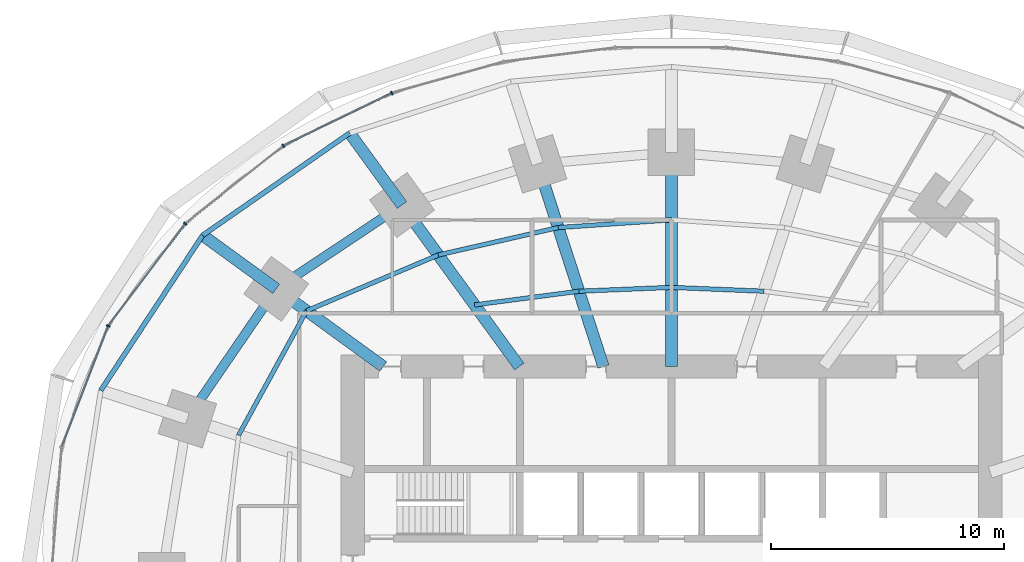
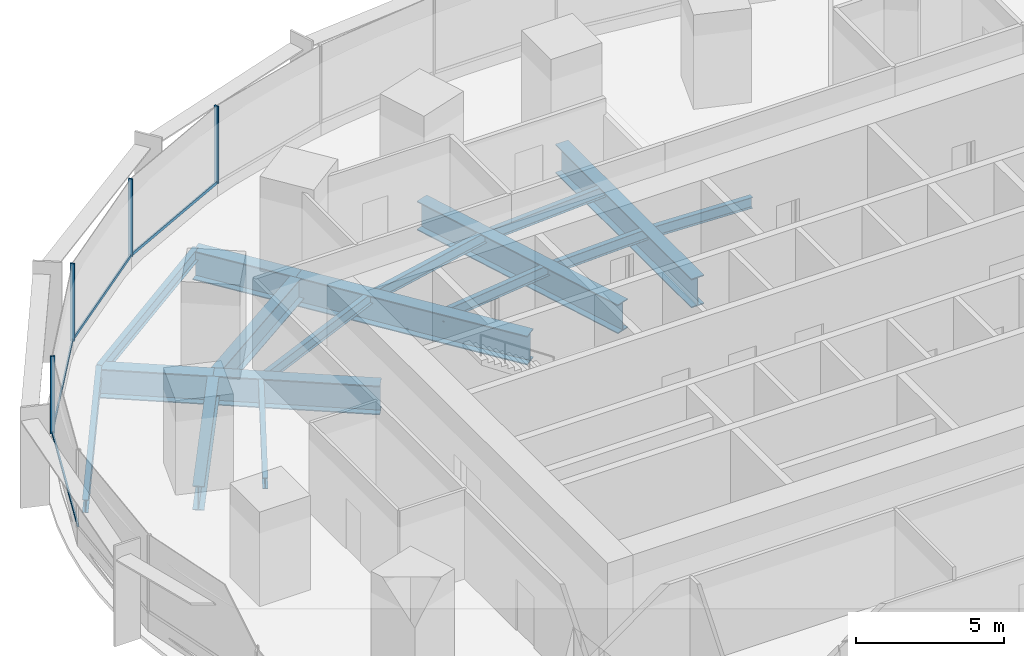
# One storey, part 7 of 15: 17 beams, 8 members, 1 element without a shape of its own.
"""IFC4 building model written with IfcOpenShell, lengths in metres."""

from ifc_helpers import new_model, si_unit, direction, frame, origin, origin_2d, place, context, subcontext, project, spatial, rectangle, i_section, extrude, material, material_profile, profile_set, type_object, element, aggregate, save


model = new_model("IFC4")

# Units and contexts
model_context = context("Model", 3, precision=1e-05, world=origin(), true_north=direction((0.0, 1.0)))
body_context = subcontext(model_context, "Body", "Model", "MODEL_VIEW")
ifc_project = project(units=[si_unit("LENGTHUNIT", "METRE"), si_unit("AREAUNIT", "SQUARE_METRE"), si_unit("VOLUMEUNIT", "CUBIC_METRE"), si_unit("PLANEANGLEUNIT", "RADIAN"), si_unit("MASSUNIT", "GRAM", prefix="KILO")], contexts=[model_context])

# Site, building, storey
site_placement = place(None, origin())
site = spatial("IfcSite", under=ifc_project, at=site_placement, CompositionType="ELEMENT")
building_placement = place(site_placement, origin())
building = spatial("IfcBuilding", under=site, at=building_placement, Name="Marramba Exchange Tower", CompositionType="ELEMENT")
storey_placement = place(building_placement, frame((0.0, 0.0, 82.60009765625)))
storey = spatial("IfcBuildingStorey", under=building, at=storey_placement, Name="L19", CompositionType="ELEMENT", Elevation=82.60009765625)

# Beams
ifc_material_1 = material(Name="Steel AS/NZS 3679.2 grade 300", Category="steel")
ifc_material_profile_1 = material_profile(ifc_material_1, i_section(OverallWidth=0.5, OverallDepth=1.199951171875, WebThickness=0.01611328125, FlangeThickness=0.0400390625, at=origin_2d()), Name="1200WB455")
ifc_profile_set_1 = profile_set([ifc_material_profile_1], Name="Steel AS/NZS 3679.2 grade 300")
beam_type_1 = type_object("IfcBeamType", Name="Cantilever girder 1200WB455", PredefinedType="BEAM", material=ifc_profile_set_1)
beam_1_placement = place(storey_placement, frame((-11.581298828125, 15.9404296875, -0.760009765625), z_axis=(-0.587795827483, 0.809009310944, 0.0), x_axis=(-0.809009310944, -0.587795827483, 0.0)))
element("IfcBeam", 1, at=beam_1_placement, inside=storey, type_object=beam_type_1, Name="Cantilever girder L19 TC08", PredefinedType="BEAM", context=body_context, shape_type="SweptSolid", body=[
    extrude(i_section(OverallWidth=0.5, OverallDepth=1.199951171875, WebThickness=0.01611328125, FlangeThickness=0.0400390625, at=origin_2d()), origin(), (0.0, 0.0, 1.0), 3.82421875),
])
beam_2_placement = place(storey_placement, frame((-16.98583984375, 12.3408203125, -0.760009765625), z_axis=(-0.808987260856, 0.587826174793, 0.0), x_axis=(-0.587826174793, -0.808987260856, 0.0)))
element("IfcBeam", 2, at=beam_2_placement, inside=storey, type_object=beam_type_1, Name="Cantilever girder L19 TC09", PredefinedType="BEAM", context=body_context, shape_type="SweptSolid", body=[
    extrude(i_section(OverallWidth=0.5, OverallDepth=1.199951171875, WebThickness=0.01611328125, FlangeThickness=0.0400390625, at=origin_2d()), origin(), (0.0, 0.0, 1.0), 3.90771484375),
])
ifc_material_2 = material(Name="Steel AS/NZS 3679.1 grade 300", Category="steel")
ifc_material_profile_2 = material_profile(ifc_material_2, i_section(OverallWidth=0.18994140625, OverallDepth=0.4541015625, WebThickness=0.008544921875, FlangeThickness=0.0126953125, FilletRadius=0.011474609375, at=origin_2d()), Name="460UB67.1")
ifc_profile_set_2 = profile_set([ifc_material_profile_2], Name="Steel AS/NZS 3679.1 grade 300")
beam_type_2 = type_object("IfcBeamType", Name="Floor joist 460UB67.1", PredefinedType="JOIST", material=ifc_profile_set_2)
for number, where, z_axis, x_axis, name in (
    (3, (3.975830078125, 12.236083984375, -0.38720703125), (-0.999137002892, 0.041536122257, 0.0), (-0.041536122257, -0.999137002892, 0.0), "Joist L19 bay 05 row 1"),
    (4, (0.0, 12.4013671875, -0.38720703125), (-0.999137002892, -0.041536122257, 0.0), (0.041536122257, -0.999137002892, 0.0), "Joist L19 bay 06 row 1"),
):
    element("IfcBeam", number, at=place(storey_placement, frame(where, z_axis=z_axis, x_axis=x_axis)), inside=storey, type_object=beam_type_2, Name=name, PredefinedType="JOIST", context=body_context, shape_type="SweptSolid", body=[
        extrude(i_section(OverallWidth=0.18994140625, OverallDepth=0.4541015625, WebThickness=0.008544921875, FlangeThickness=0.0126953125, FilletRadius=0.011474609375, at=origin_2d()), origin(), (0.0, 0.0, 1.0), 3.979248046875),
    ])
beam_3_placement = place(storey_placement, frame((0.0, 15.302734375, -0.38720703125), z_axis=(-0.997702652202, -0.067745241816, 0.0), x_axis=(0.067745241816, -0.997702652202, 0.0)))
element("IfcBeam", 5, at=beam_3_placement, inside=storey, type_object=beam_type_2, Name="Joist L19 bay 06 row 2", PredefinedType="JOIST", context=body_context, shape_type="SweptSolid", body=[
    extrude(i_section(OverallWidth=0.18994140625, OverallDepth=0.4541015625, WebThickness=0.008544921875, FlangeThickness=0.0126953125, FilletRadius=0.011474609375, at=origin_2d()), origin(), (0.0, 0.0, 1.0), 4.8759765625),
])
beam_4_placement = place(storey_placement, frame((-3.975830078125, 12.236083984375, -0.38720703125), z_axis=(-0.991480538255, -0.130254912618, 0.0), x_axis=(0.130254912618, -0.991480538255, 0.0)))
element("IfcBeam", 6, at=beam_4_placement, inside=storey, type_object=beam_type_2, Name="Joist L19 bay 07 row 1", PredefinedType="JOIST", context=body_context, shape_type="SweptSolid", body=[
    extrude(i_section(OverallWidth=0.18994140625, OverallDepth=0.4541015625, WebThickness=0.008544921875, FlangeThickness=0.0126953125, FilletRadius=0.011474609375, at=origin_2d()), origin(), (0.0, 0.0, 1.0), 4.524658203125),
])
beam_5_placement = place(storey_placement, frame((-4.86474609375, 14.972412109375, -0.38720703125), z_axis=(-0.974859652292, -0.222819788916, 0.0), x_axis=(0.222819788916, -0.974859652292, 0.0)))
element("IfcBeam", 7, at=beam_5_placement, inside=storey, type_object=beam_type_2, Name="Joist L19 bay 07 row 2", PredefinedType="JOIST", context=body_context, shape_type="SweptSolid", body=[
    extrude(i_section(OverallWidth=0.18994140625, OverallDepth=0.4541015625, WebThickness=0.008544921875, FlangeThickness=0.0126953125, FilletRadius=0.011474609375, at=origin_2d()), origin(), (0.0, 0.0, 1.0), 5.2900390625),
])
beam_6_placement = place(storey_placement, frame((-10.021728515625, 13.793701171875, -0.38720703125), z_axis=(-0.920674336375, -0.390331610738, 0.0), x_axis=(0.390331610738, -0.920674336375, 0.0)))
element("IfcBeam", 8, at=beam_6_placement, inside=storey, type_object=beam_type_2, Name="Joist L19 bay 08 row 2", PredefinedType="JOIST", context=body_context, shape_type="SweptSolid", body=[
    extrude(i_section(OverallWidth=0.18994140625, OverallDepth=0.4541015625, WebThickness=0.008544921875, FlangeThickness=0.0126953125, FilletRadius=0.011474609375, at=origin_2d()), origin(), (0.0, 0.0, 1.0), 6.1484375),
])
beam_7_placement = place(storey_placement, frame((-15.682373046875, 11.393798828125, -0.38720703125), z_axis=(-0.479584443791, -0.877495732909, 0.0), x_axis=(0.877495732909, -0.479584443791, 0.0)))
element("IfcBeam", 9, at=beam_7_placement, inside=storey, type_object=beam_type_2, Name="Joist L19 bay 09 row 2", PredefinedType="JOIST", context=body_context, shape_type="SweptSolid", body=[
    extrude(i_section(OverallWidth=0.18994140625, OverallDepth=0.4541015625, WebThickness=0.008544921875, FlangeThickness=0.0126953125, FilletRadius=0.011474609375, at=origin_2d()), origin(), (0.0, 0.0, 1.0), 6.094970703125),
])
ifc_material_profile_3 = material_profile(ifc_material_1, i_section(OverallWidth=0.5, OverallDepth=1.199951171875, WebThickness=0.01611328125, FlangeThickness=0.0400390625, at=origin_2d()), Name="1200WB455")
ifc_profile_set_3 = profile_set([ifc_material_profile_3], Name="Steel AS/NZS 3679.2 grade 300")
beam_type_3 = type_object("IfcBeamType", Name="Radial girder 1200WB455", PredefinedType="BEAM", material=ifc_profile_set_3)
beam_8_placement = place(storey_placement, frame((0.0, 9.0, -0.760009765625), z_axis=(0.0, 1.0, 0.0), x_axis=(-1.0, 0.0, 0.0)))
element("IfcBeam", 10, at=beam_8_placement, inside=storey, type_object=beam_type_3, Name="Radial girder L19 TC06", PredefinedType="BEAM", context=body_context, shape_type="SweptSolid", body=[
    extrude(i_section(OverallWidth=0.5, OverallDepth=1.199951171875, WebThickness=0.01611328125, FlangeThickness=0.0400390625, at=origin_2d()), origin(), (0.0, 0.0, 1.0), 9.2041015625),
])
beam_9_placement = place(storey_placement, frame((-2.92431640625, 9.0, -0.760009765625), z_axis=(-0.309019754162, 0.951055619582, 0.0), x_axis=(-0.951055619582, -0.309019754162, 0.0)))
element("IfcBeam", 11, at=beam_9_placement, inside=storey, type_object=beam_type_3, Name="Radial girder L19 TC07", PredefinedType="BEAM", context=body_context, shape_type="SweptSolid", body=[
    extrude(i_section(OverallWidth=0.5, OverallDepth=1.199951171875, WebThickness=0.01611328125, FlangeThickness=0.0400390625, at=origin_2d()), origin(), (0.0, 0.0, 1.0), 9.15673828125),
])
beam_10_placement = place(storey_placement, frame((-6.538818359375, 9.0, -0.760009765625), z_axis=(-0.587782439969, 0.80901903764, 0.0), x_axis=(-0.80901903764, -0.587782439969, 0.0)))
element("IfcBeam", 12, at=beam_10_placement, inside=storey, type_object=beam_type_3, Name="Radial girder L19 TC08", PredefinedType="BEAM", context=body_context, shape_type="SweptSolid", body=[
    extrude(i_section(OverallWidth=0.5, OverallDepth=1.199951171875, WebThickness=0.01611328125, FlangeThickness=0.0400390625, at=origin_2d()), origin(), (0.0, 0.0, 1.0), 8.578857421875),
])
beam_11_placement = place(storey_placement, frame((-12.387451171875, 9.0, -0.760009765625), z_axis=(-0.809025746925, 0.587773205252, 0.0), x_axis=(-0.587773205252, -0.809025746925, 0.0)))
element("IfcBeam", 13, at=beam_11_placement, inside=storey, type_object=beam_type_3, Name="Radial girder L19 TC09", PredefinedType="BEAM", context=body_context, shape_type="SweptSolid", body=[
    extrude(i_section(OverallWidth=0.5, OverallDepth=1.199951171875, WebThickness=0.01611328125, FlangeThickness=0.0400390625, at=origin_2d()), origin(), (0.0, 0.0, 1.0), 5.683837890625),
])
ifc_material_profile_4 = material_profile(ifc_material_1, i_section(OverallWidth=0.39990234375, OverallDepth=1.0, WebThickness=0.01611328125, FlangeThickness=0.031982421875, at=origin_2d()), Name="1000WB322")
ifc_profile_set_4 = profile_set([ifc_material_profile_4], Name="Steel AS/NZS 3679.2 grade 300")
beam_type_4 = type_object("IfcBeamType", Name="Ring beam 1000WB322", PredefinedType="SPANDREL", material=ifc_profile_set_4)
beam_12_placement = place(storey_placement, frame((-11.581298828125, 15.9404296875, -0.66015625), z_axis=(-0.832293151443, -0.554335737673, 0.0), x_axis=(0.554335737673, -0.832293151443, 0.0)))
element("IfcBeam", 14, at=beam_12_placement, inside=storey, type_object=beam_type_4, Name="Ring beam L19 TC08-TC09", PredefinedType="SPANDREL", context=body_context, shape_type="SweptSolid", body=[
    extrude(i_section(OverallWidth=0.39990234375, OverallDepth=1.0, WebThickness=0.01611328125, FlangeThickness=0.031982421875, at=origin_2d()), origin(), (0.0, 0.0, 1.0), 6.49365234375),
])
beam_13_placement = place(storey_placement, frame((-16.98583984375, 12.3408203125, -0.66015625), z_axis=(-0.56516002054, -0.824981303535, 0.0), x_axis=(0.824981303535, -0.56516002054, 0.0)))
element("IfcBeam", 15, at=beam_13_placement, inside=storey, type_object=beam_type_4, Name="Ring beam L19 TC09-TC10", PredefinedType="SPANDREL", context=body_context, shape_type="SweptSolid", body=[
    extrude(i_section(OverallWidth=0.39990234375, OverallDepth=1.0, WebThickness=0.01611328125, FlangeThickness=0.031982421875, at=origin_2d()), origin(), (0.0, 0.0, 1.0), 6.763671875),
])
ifc_material_profile_5 = material_profile(ifc_material_2, i_section(OverallWidth=0.208984375, OverallDepth=0.528076171875, WebThickness=0.009521484375, FlangeThickness=0.01318359375, FilletRadius=0.013916015625, at=origin_2d()), Name="530UB82.0")
ifc_profile_set_5 = profile_set([ifc_material_profile_5], Name="Steel AS/NZS 3679.1 grade 300")
beam_type_5 = type_object("IfcBeamType", Name="Slab edge beam 530UB82.0", PredefinedType="SPANDREL", material=ifc_profile_set_5)
beam_14_placement = place(storey_placement, frame((-13.8291015625, 19.0341796875, -0.424072265625), z_axis=(-0.820842487183, -0.571154629882, 0.0), x_axis=(0.571154629882, -0.820842487183, 0.0)))
element("IfcBeam", 16, at=beam_14_placement, inside=storey, type_object=beam_type_5, Name="Slab edge beam L19 TC08-TC09", PredefinedType="SPANDREL", context=body_context, shape_type="SweptSolid", body=[
    extrude(i_section(OverallWidth=0.208984375, OverallDepth=0.528076171875, WebThickness=0.009521484375, FlangeThickness=0.01318359375, FilletRadius=0.013916015625, at=origin_2d()), origin(), (0.0, 0.0, 1.0), 7.697021484375),
])
beam_15_placement = place(storey_placement, frame((-20.147216796875, 14.637939453125, -0.424072265625), z_axis=(-0.549123544095, -0.835741188001, 0.0), x_axis=(0.835741188001, -0.549123544095, 0.0)))
element("IfcBeam", 17, at=beam_15_placement, inside=storey, type_object=beam_type_5, Name="Slab edge beam L19 TC09-TC10", PredefinedType="SPANDREL", context=body_context, shape_type="SweptSolid", body=[
    extrude(i_section(OverallWidth=0.208984375, OverallDepth=0.528076171875, WebThickness=0.009521484375, FlangeThickness=0.01318359375, FilletRadius=0.013916015625, at=origin_2d()), origin(), (0.0, 0.0, 1.0), 7.978759765625),
])

# Curtain wall, members
ifc_material_3 = material(Name="Aluminium framing, bronze anodised", Category="aluminium")
curtain_wall_type = type_object("IfcCurtainWallType", Name="Trading floor ribbon curtain wall", PredefinedType="USERDEFINED", material=ifc_material_3)
curtain_wall_placement = place(storey_placement, origin())
curtain_wall = element("IfcCurtainWall", 18, at=curtain_wall_placement, inside=storey, type_object=curtain_wall_type, Name="Curtain wall CW3 L19 F11-F15", ObjectType="RIBBON CURTAIN WALL", PredefinedType="USERDEFINED")
ifc_material_4 = material(Name="Aluminium mullion, bronze anodised", Category="aluminium")
ifc_material_profile_6 = material_profile(ifc_material_4, rectangle(XDim=0.159912109375, YDim=0.06005859375, at=origin_2d()), Name="CW3 mullion 60x160")
ifc_profile_set_6 = profile_set([ifc_material_profile_6], Name="Aluminium mullion, bronze anodised")
member_type_1 = type_object("IfcMemberType", Name="Trading floor ribbon curtain wall mullion", PredefinedType="MULLION", material=ifc_profile_set_6)
member_1_placement = place(storey_placement, frame((-12.016357421875, 20.7529296875, 0.7998046875), z_axis=(0.0, 0.0, 1.0), x_axis=(0.43596538664, -0.899963433508, 0.0)))
member_1 = element("IfcMember", 19, at=member_1_placement, type_object=member_type_1, Name="CW3 mullion 1", PredefinedType="MULLION", context=body_context, shape_type="SweptSolid", body=[
    extrude(rectangle(XDim=0.159912109375, YDim=0.06005859375, at=origin_2d()), origin(), (0.0, 0.0, 1.0), 3.2001953125),
])
member_2_placement = place(storey_placement, frame((-16.683837890625, 18.484619140625, 0.7998046875), z_axis=(0.0, 0.0, 1.0), x_axis=(0.620649730166, -0.784087949432, 0.0)))
member_2 = element("IfcMember", 20, at=member_2_placement, type_object=member_type_1, Name="CW3 mullion 1", PredefinedType="MULLION", context=body_context, shape_type="SweptSolid", body=[
    extrude(rectangle(XDim=0.159912109375, YDim=0.06005859375, at=origin_2d()), origin(), (0.0, 0.0, 1.0), 3.2001953125),
])
member_3_placement = place(storey_placement, frame((-20.8935546875, 15.142822265625, 0.7998046875), z_axis=(0.0, 0.0, 1.0), x_axis=(0.797748922445, -0.602989765036, 0.0)))
member_3 = element("IfcMember", 21, at=member_3_placement, type_object=member_type_1, Name="CW3 mullion 1", PredefinedType="MULLION", context=body_context, shape_type="SweptSolid", body=[
    extrude(rectangle(XDim=0.159912109375, YDim=0.06005859375, at=origin_2d()), origin(), (0.0, 0.0, 1.0), 3.2001953125),
])
member_4_placement = place(storey_placement, frame((-24.207275390625, 10.7451171875, 0.7998046875), z_axis=(0.0, 0.0, 1.0), x_axis=(0.933135256626, -0.359525510698, 0.0)))
member_4 = element("IfcMember", 22, at=member_4_placement, type_object=member_type_1, Name="CW3 mullion 1", PredefinedType="MULLION", context=body_context, shape_type="SweptSolid", body=[
    extrude(rectangle(XDim=0.159912109375, YDim=0.06005859375, at=origin_2d()), origin(), (0.0, 0.0, 1.0), 3.2001953125),
])
ifc_material_5 = material(Name="Aluminium transom, bronze anodised", Category="aluminium")
ifc_material_profile_7 = material_profile(ifc_material_5, rectangle(XDim=0.06005859375, YDim=0.1201171875, at=origin_2d()), Name="CW3 transom 60x120")
ifc_profile_set_7 = profile_set([ifc_material_profile_7], Name="Aluminium transom, bronze anodised")
member_type_2 = type_object("IfcMemberType", Name="Trading floor ribbon curtain wall transom", PredefinedType="USERDEFINED", material=ifc_profile_set_7)
member_5_placement = place(storey_placement, frame((-12.043212890625, 20.739990234375, 0.829833984375), z_axis=(-0.89995331781, -0.43598626786, 0.0), x_axis=(0.43598626786, -0.89995331781, 0.0)))
member_5 = element("IfcMember", 23, at=member_5_placement, type_object=member_type_2, Name="CW3 sill transom", ObjectType="TRANSOM", PredefinedType="USERDEFINED", context=body_context, shape_type="SweptSolid", body=[
    extrude(rectangle(XDim=0.06005859375, YDim=0.1201171875, at=origin_2d()), origin(), (0.0, 0.0, 1.0), 5.13037109375),
])
member_6_placement = place(storey_placement, frame((-16.70751953125, 18.466064453125, 0.829833984375), z_axis=(-0.784075625018, -0.620665299701, 0.0), x_axis=(0.620665299701, -0.784075625018, 0.0)))
member_6 = element("IfcMember", 24, at=member_6_placement, type_object=member_type_2, Name="CW3 sill transom", ObjectType="TRANSOM", PredefinedType="USERDEFINED", context=body_context, shape_type="SweptSolid", body=[
    extrude(rectangle(XDim=0.06005859375, YDim=0.1201171875, at=origin_2d()), origin(), (0.0, 0.0, 1.0), 5.315673828125),
])
member_7_placement = place(storey_placement, frame((-20.91162109375, 15.118896484375, 0.829833984375), z_axis=(-0.602985866158, -0.797751869452, 0.0), x_axis=(0.797751869452, -0.602985866158, 0.0)))
member_7 = element("IfcMember", 25, at=member_7_placement, type_object=member_type_2, Name="CW3 sill transom", ObjectType="TRANSOM", PredefinedType="USERDEFINED", context=body_context, shape_type="SweptSolid", body=[
    extrude(rectangle(XDim=0.06005859375, YDim=0.1201171875, at=origin_2d()), origin(), (0.0, 0.0, 1.0), 5.44775390625),
])
member_8_placement = place(storey_placement, frame((-24.218017578125, 10.717041015625, 0.829833984375), z_axis=(-0.359533581349, -0.933132147063, 0.0), x_axis=(0.933132147063, -0.359533581349, 0.0)))
member_8 = element("IfcMember", 26, at=member_8_placement, type_object=member_type_2, Name="CW3 sill transom", ObjectType="TRANSOM", PredefinedType="USERDEFINED", context=body_context, shape_type="SweptSolid", body=[
    extrude(rectangle(XDim=0.06005859375, YDim=0.1201171875, at=origin_2d()), origin(), (0.0, 0.0, 1.0), 5.5166015625),
])
aggregate(curtain_wall, [member_1, member_5, member_2, member_6, member_3, member_7, member_4, member_8])

save(model, "model.ifc")
